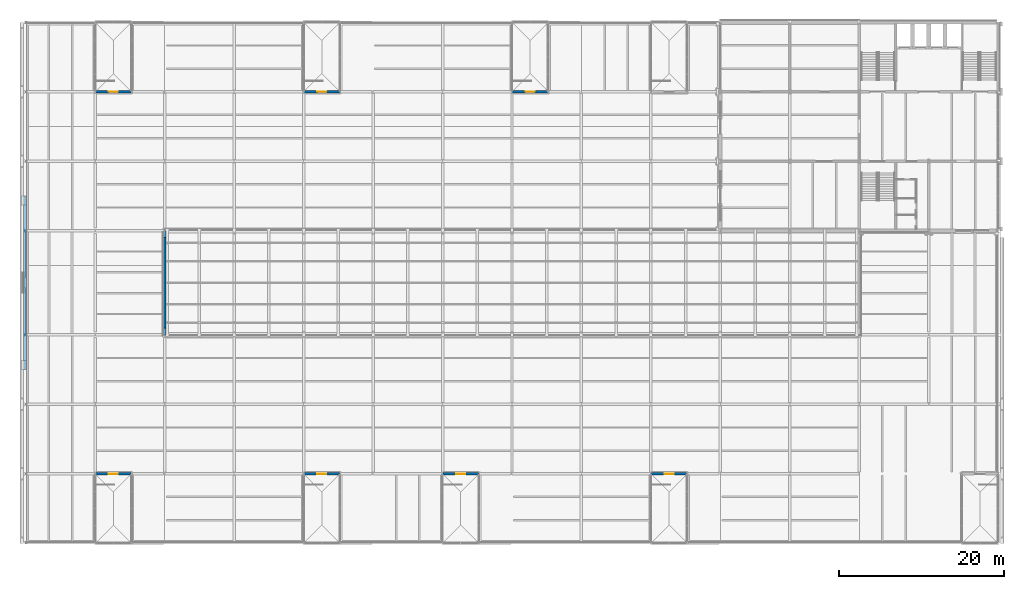
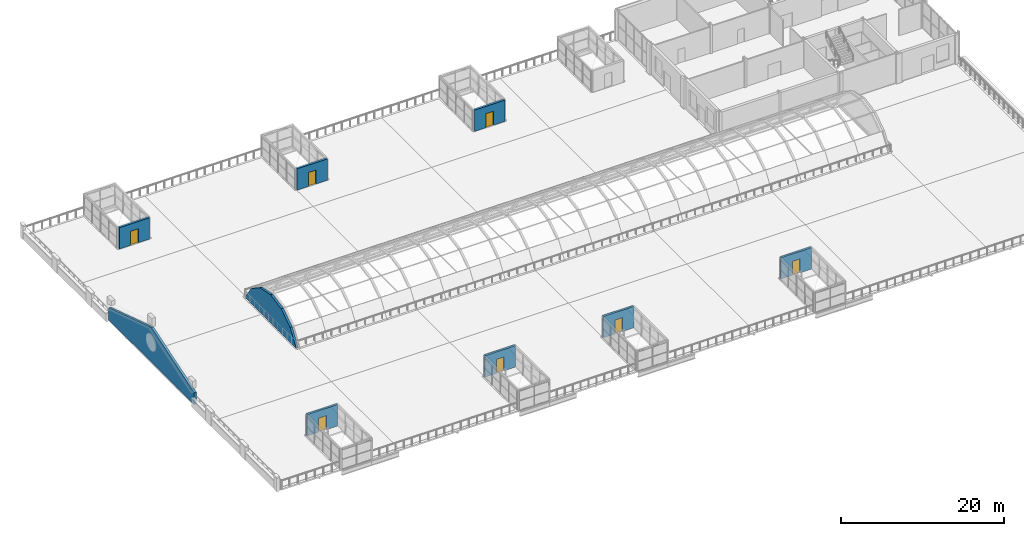
# One storey, part 39 of 58: 9 walls, 7 doors, 7 openings.
"""IFC4 building model written with IfcOpenShell, lengths in metres."""

from ifc_helpers import new_model, si_unit, direction, frame, frame_2d, origin, place, context, subcontext, project, spatial, polyline, rectangle, outline, extrude, material, layer, layer_set, type_object, element, fill, save


model = new_model("IFC4")

# Units and contexts
model_context = context("Model", 3, precision=1e-05, world=origin(), true_north=direction((0.0, 1.0)))
body_context = subcontext(model_context, "Body", "Model", "MODEL_VIEW")
ifc_project = project(units=[si_unit("LENGTHUNIT", "METRE"), si_unit("AREAUNIT", "SQUARE_METRE"), si_unit("VOLUMEUNIT", "CUBIC_METRE"), si_unit("PLANEANGLEUNIT", "RADIAN"), si_unit("MASSUNIT", "GRAM", prefix="KILO")], contexts=[model_context])

# Site, building, storey
site_placement = place(None, origin())
site = spatial("IfcSite", under=ifc_project, at=site_placement, CompositionType="ELEMENT")
building_placement = place(site_placement, origin())
building = spatial("IfcBuilding", under=site, at=building_placement, Name="Galleria Vessillo Department Store", CompositionType="ELEMENT")
storey_placement = place(building_placement, frame((0.0, 0.0, 31.199951171875)))
storey = spatial("IfcBuildingStorey", under=building, at=storey_placement, Name="L06", CompositionType="ELEMENT", Elevation=31.199951171875)

# Walls
ifc_material_1 = material(Name="Botticino limestone ashlar on masonry backing", Category="masonry")
ifc_layer_1 = layer(ifc_material_1, 0.31005859375)
ifc_layer_set_1 = layer_set([ifc_layer_1], Name="Botticino limestone ashlar on masonry backing")
wall_type_1 = type_object("IfcWallType", Name="Limestone attic pediment wall 310 mm", PredefinedType="STANDARD", material=ifc_layer_set_1)
wall_1_placement = place(storey_placement, frame((-0.094970703125, 21.0, 0.0), z_axis=(0.0, 0.0, 1.0), x_axis=(0.0, 1.0, 0.0)))
element("IfcWall", 1, at=wall_1_placement, inside=storey, type_object=wall_type_1, Name="Central attic pediment West Street", PredefinedType="STANDARD", context=body_context, shape_type="SweptSolid", body=[
    extrude(outline(polyline([(0.0, 0.0), (21.0, 0.0), (21.0, 1.800048828125), (10.5, 5.199951171875), (0.0, 1.800048828125), (0.0, 0.0)])), frame((0.0, 0.155029296875, 0.0), z_axis=(0.0, -1.0, 0.0), x_axis=(1.0, 0.0, 0.0)), (0.0, 0.0, 1.0), 0.31005859375),
])
ifc_material_2 = material(Name="Botticino limestone ashlar on masonry backing", Category="masonry")
ifc_layer_2 = layer(ifc_material_2, 0.300048828125)
ifc_layer_set_2 = layer_set([ifc_layer_2], Name="Botticino limestone ashlar on masonry backing")
wall_type_2 = type_object("IfcWallType", Name="Limestone tympanum wall 300 mm", PredefinedType="STANDARD", material=ifc_layer_set_2)
wall_2_placement = place(storey_placement, frame((16.800048828125, 25.199951171875, 0.0), z_axis=(0.0, 0.0, 1.0), x_axis=(0.0, 1.0, 0.0)))
element("IfcWall", 2, at=wall_2_placement, inside=storey, type_object=wall_type_2, Name="Vault tympanum TYMP-W", PredefinedType="STANDARD", context=body_context, shape_type="SweptSolid", body=[
    extrude(outline(polyline([(0.0, 0.0), (12.60009765625, 0.0), (12.60009765625, 0.0), (11.119384765625, 2.207763671875), (8.907470703125, 3.682373046875), (6.300048828125, 4.199951171875), (3.692626953125, 3.682373046875), (1.480712890625, 2.207763671875), (0.0, 0.0), (0.0, 0.0)])), frame((0.0, 0.14990234375, 0.0), z_axis=(0.0, -1.0, 0.0), x_axis=(1.0, 0.0, 0.0)), (0.0, 0.0, 1.0), 0.300048828125),
])

# Wall, opening, door
ifc_material_3 = material(Name="Reinforced masonry, limestone units 80 MPa", Category="masonry")
ifc_layer_3 = layer(ifc_material_3, 0.300048828125)
ifc_layer_set_3 = layer_set([ifc_layer_3], Name="Reinforced masonry, limestone units 80 MPa")
wall_type_3 = type_object("IfcWallType", Name="Load-bearing limestone pavilion wall 300 mm", PredefinedType="STANDARD", material=ifc_layer_set_3)
wall_3_placement = place(storey_placement, frame((8.449951171875, 8.39990234375, 0.0), z_axis=(0.0, 0.0, 1.0), x_axis=(1.0, 0.0, 0.0)))
wall_3 = element("IfcWall", 3, at=wall_3_placement, inside=storey, type_object=wall_type_3, Name="Load-bearing limestone pavilion wall 300 mm PV-ST1-D", PredefinedType="STANDARD", context=body_context, shape_type="SweptSolid", body=[
    extrude(rectangle(XDim=4.300048828125, YDim=0.300048828125, at=frame_2d((2.14990234375, 0.0))), origin(), (0.0, 0.0, 1.0), 3.2001953125),
])
opening_1_placement = place(wall_3_placement, frame((1.60009765625, 0.0, 0.0)))
opening_1 = element("IfcOpeningElement", 4, at=opening_1_placement, cuts=wall_3, Name="Opening PAV-ST1", PredefinedType="OPENING", context=body_context, shape_type="SweptSolid", body=[
    extrude(rectangle(XDim=1.10009765625, YDim=2.10009765625, at=frame_2d((0.550048828125, 1.050048828125))), frame((0.0, 0.16015625, 0.0), z_axis=(0.0, -1.0, 0.0), x_axis=(1.0, 0.0, 0.0)), (0.0, 0.0, 1.0), 0.320068359375),
])
ifc_material_4 = material(Name="Galvanised steel sectional leaf", Category="steel")
door_type = type_object("IfcDoorType", Name="Single leaf pavilion door 1100 x 2100", OperationType="SINGLE_SWING_LEFT", PredefinedType="DOOR", material=ifc_material_4)
door_1_placement = place(opening_1_placement, origin())
door_1 = element("IfcDoor", 5, at=door_1_placement, inside=storey, type_object=door_type, Name="Single leaf pavilion door 1100 x 2100 PAV-ST1", OperationType="SINGLE_SWING_RIGHT", OverallHeight=2.10009765625, OverallWidth=1.10009765625, PredefinedType="DOOR", context=body_context, shape_type="SweptSolid", body=[
    extrude(rectangle(XDim=1.10009765625, YDim=2.10009765625, at=frame_2d((0.550048828125, 1.050048828125))), frame((0.0, 0.02490234375, 0.0), z_axis=(0.0, -1.0, 0.0), x_axis=(1.0, 0.0, 0.0)), (0.0, 0.0, 1.0), 0.050048828125),
])
fill(opening_1, door_1)

wall_4_placement = place(storey_placement, frame((8.449951171875, 54.60009765625, 0.0), z_axis=(0.0, 0.0, 1.0), x_axis=(1.0, 0.0, 0.0)))
wall_4 = element("IfcWall", 6, at=wall_4_placement, inside=storey, type_object=wall_type_3, Name="Load-bearing limestone pavilion wall 300 mm PV-ST2-D", PredefinedType="STANDARD", context=body_context, shape_type="SweptSolid", body=[
    extrude(rectangle(XDim=4.300048828125, YDim=0.300048828125, at=frame_2d((2.14990234375, 0.0))), origin(), (0.0, 0.0, 1.0), 3.2001953125),
])
opening_2_placement = place(wall_4_placement, frame((1.60009765625, 0.0, 0.0)))
opening_2 = element("IfcOpeningElement", 7, at=opening_2_placement, cuts=wall_4, Name="Opening PAV-ST2", PredefinedType="OPENING", context=body_context, shape_type="SweptSolid", body=[
    extrude(rectangle(XDim=1.10009765625, YDim=2.10009765625, at=frame_2d((0.550048828125, 1.050048828125))), frame((0.0, 0.16015625, 0.0), z_axis=(0.0, -1.0, 0.0), x_axis=(1.0, 0.0, 0.0)), (0.0, 0.0, 1.0), 0.320068359375),
])
door_2_placement = place(opening_2_placement, frame((1.10009765625, 0.0, 0.0), z_axis=(0.0, 0.0, 1.0), x_axis=(-1.0, 0.0, 0.0)))
door_2 = element("IfcDoor", 8, at=door_2_placement, inside=storey, type_object=door_type, Name="Single leaf pavilion door 1100 x 2100 PAV-ST2", OperationType="SINGLE_SWING_LEFT", OverallHeight=2.10009765625, OverallWidth=1.10009765625, PredefinedType="DOOR", context=body_context, shape_type="SweptSolid", body=[
    extrude(rectangle(XDim=1.10009765625, YDim=2.10009765625, at=frame_2d((0.550048828125, 1.050048828125))), frame((0.0, 0.02490234375, 0.0), z_axis=(0.0, -1.0, 0.0), x_axis=(1.0, 0.0, 0.0)), (0.0, 0.0, 1.0), 0.050048828125),
])
fill(opening_2, door_2)

wall_5_placement = place(storey_placement, frame((33.650146484375, 8.39990234375, 0.0), z_axis=(0.0, 0.0, 1.0), x_axis=(1.0, 0.0, 0.0)))
wall_5 = element("IfcWall", 9, at=wall_5_placement, inside=storey, type_object=wall_type_3, Name="Load-bearing limestone pavilion wall 300 mm PV-ST3-D", PredefinedType="STANDARD", context=body_context, shape_type="SweptSolid", body=[
    extrude(rectangle(XDim=4.2998046875, YDim=0.300048828125, at=frame_2d((2.14990234375, 0.0))), origin(), (0.0, 0.0, 1.0), 3.2001953125),
])
opening_3_placement = place(wall_5_placement, frame((1.599853515625, 0.0, 0.0)))
opening_3 = element("IfcOpeningElement", 10, at=opening_3_placement, cuts=wall_5, Name="Opening PAV-ST3", PredefinedType="OPENING", context=body_context, shape_type="SweptSolid", body=[
    extrude(rectangle(XDim=1.10009765625, YDim=2.10009765625, at=frame_2d((0.550048828125, 1.050048828125))), frame((0.0, 0.16015625, 0.0), z_axis=(0.0, -1.0, 0.0), x_axis=(1.0, 0.0, 0.0)), (0.0, 0.0, 1.0), 0.320068359375),
])
door_3_placement = place(opening_3_placement, origin())
door_3 = element("IfcDoor", 11, at=door_3_placement, inside=storey, type_object=door_type, Name="Single leaf pavilion door 1100 x 2100 PAV-ST3", OperationType="SINGLE_SWING_LEFT", OverallHeight=2.10009765625, OverallWidth=1.10009765625, PredefinedType="DOOR", context=body_context, shape_type="SweptSolid", body=[
    extrude(rectangle(XDim=1.10009765625, YDim=2.10009765625, at=frame_2d((0.550048828125, 1.050048828125))), frame((0.0, 0.02490234375, 0.0), z_axis=(0.0, -1.0, 0.0), x_axis=(1.0, 0.0, 0.0)), (0.0, 0.0, 1.0), 0.050048828125),
])
fill(opening_3, door_3)

wall_6_placement = place(storey_placement, frame((33.650146484375, 54.60009765625, 0.0), z_axis=(0.0, 0.0, 1.0), x_axis=(1.0, 0.0, 0.0)))
wall_6 = element("IfcWall", 12, at=wall_6_placement, inside=storey, type_object=wall_type_3, Name="Load-bearing limestone pavilion wall 300 mm PV-ST4-D", PredefinedType="STANDARD", context=body_context, shape_type="SweptSolid", body=[
    extrude(rectangle(XDim=4.2998046875, YDim=0.300048828125, at=frame_2d((2.14990234375, 0.0))), origin(), (0.0, 0.0, 1.0), 3.2001953125),
])
opening_4_placement = place(wall_6_placement, frame((1.599853515625, 0.0, 0.0)))
opening_4 = element("IfcOpeningElement", 13, at=opening_4_placement, cuts=wall_6, Name="Opening PAV-ST4", PredefinedType="OPENING", context=body_context, shape_type="SweptSolid", body=[
    extrude(rectangle(XDim=1.10009765625, YDim=2.10009765625, at=frame_2d((0.550048828125, 1.050048828125))), frame((0.0, 0.16015625, 0.0), z_axis=(0.0, -1.0, 0.0), x_axis=(1.0, 0.0, 0.0)), (0.0, 0.0, 1.0), 0.320068359375),
])
door_4_placement = place(opening_4_placement, frame((1.10009765625, 0.0, 0.0), z_axis=(0.0, 0.0, 1.0), x_axis=(-1.0, 0.0, 0.0)))
door_4 = element("IfcDoor", 14, at=door_4_placement, inside=storey, type_object=door_type, Name="Single leaf pavilion door 1100 x 2100 PAV-ST4", OperationType="SINGLE_SWING_RIGHT", OverallHeight=2.10009765625, OverallWidth=1.10009765625, PredefinedType="DOOR", context=body_context, shape_type="SweptSolid", body=[
    extrude(rectangle(XDim=1.10009765625, YDim=2.10009765625, at=frame_2d((0.550048828125, 1.050048828125))), frame((0.0, 0.02490234375, 0.0), z_axis=(0.0, -1.0, 0.0), x_axis=(1.0, 0.0, 0.0)), (0.0, 0.0, 1.0), 0.050048828125),
])
fill(opening_4, door_4)

wall_7_placement = place(storey_placement, frame((75.650146484375, 8.39990234375, 0.0), z_axis=(0.0, 0.0, 1.0), x_axis=(1.0, 0.0, 0.0)))
wall_7 = element("IfcWall", 15, at=wall_7_placement, inside=storey, type_object=wall_type_3, Name="Load-bearing limestone pavilion wall 300 mm PV-ST5-D", PredefinedType="STANDARD", context=body_context, shape_type="SweptSolid", body=[
    extrude(rectangle(XDim=4.2998046875, YDim=0.300048828125, at=frame_2d((2.14990234375, 0.0))), origin(), (0.0, 0.0, 1.0), 3.2001953125),
])
opening_5_placement = place(wall_7_placement, frame((1.599853515625, 0.0, 0.0)))
opening_5 = element("IfcOpeningElement", 16, at=opening_5_placement, cuts=wall_7, Name="Opening PAV-ST5", PredefinedType="OPENING", context=body_context, shape_type="SweptSolid", body=[
    extrude(rectangle(XDim=1.10009765625, YDim=2.10009765625, at=frame_2d((0.550048828125, 1.050048828125))), frame((0.0, 0.16015625, 0.0), z_axis=(0.0, -1.0, 0.0), x_axis=(1.0, 0.0, 0.0)), (0.0, 0.0, 1.0), 0.320068359375),
])
door_5_placement = place(opening_5_placement, origin())
door_5 = element("IfcDoor", 17, at=door_5_placement, inside=storey, type_object=door_type, Name="Single leaf pavilion door 1100 x 2100 PAV-ST5", OperationType="SINGLE_SWING_LEFT", OverallHeight=2.10009765625, OverallWidth=1.10009765625, PredefinedType="DOOR", context=body_context, shape_type="SweptSolid", body=[
    extrude(rectangle(XDim=1.10009765625, YDim=2.10009765625, at=frame_2d((0.550048828125, 1.050048828125))), frame((0.0, 0.02490234375, 0.0), z_axis=(0.0, -1.0, 0.0), x_axis=(1.0, 0.0, 0.0)), (0.0, 0.0, 1.0), 0.050048828125),
])
fill(opening_5, door_5)

wall_8_placement = place(storey_placement, frame((50.449951171875, 8.39990234375, 0.0), z_axis=(0.0, 0.0, 1.0), x_axis=(1.0, 0.0, 0.0)))
wall_8 = element("IfcWall", 18, at=wall_8_placement, inside=storey, type_object=wall_type_3, Name="Load-bearing limestone pavilion wall 300 mm PV-ST10-D", PredefinedType="STANDARD", context=body_context, shape_type="SweptSolid", body=[
    extrude(rectangle(XDim=4.300048828125, YDim=0.300048828125, at=frame_2d((2.14990234375, 0.0))), origin(), (0.0, 0.0, 1.0), 3.2001953125),
])
opening_6_placement = place(wall_8_placement, frame((1.60009765625, 0.0, 0.0)))
opening_6 = element("IfcOpeningElement", 19, at=opening_6_placement, cuts=wall_8, Name="Opening PAV-ST10", PredefinedType="OPENING", context=body_context, shape_type="SweptSolid", body=[
    extrude(rectangle(XDim=1.10009765625, YDim=2.10009765625, at=frame_2d((0.550048828125, 1.050048828125))), frame((0.0, 0.16015625, 0.0), z_axis=(0.0, -1.0, 0.0), x_axis=(1.0, 0.0, 0.0)), (0.0, 0.0, 1.0), 0.320068359375),
])
door_6_placement = place(opening_6_placement, origin())
door_6 = element("IfcDoor", 20, at=door_6_placement, inside=storey, type_object=door_type, Name="Single leaf pavilion door 1100 x 2100 PAV-ST10", OperationType="SINGLE_SWING_RIGHT", OverallHeight=2.10009765625, OverallWidth=1.10009765625, PredefinedType="DOOR", context=body_context, shape_type="SweptSolid", body=[
    extrude(rectangle(XDim=1.10009765625, YDim=2.10009765625, at=frame_2d((0.550048828125, 1.050048828125))), frame((0.0, 0.02490234375, 0.0), z_axis=(0.0, -1.0, 0.0), x_axis=(1.0, 0.0, 0.0)), (0.0, 0.0, 1.0), 0.050048828125),
])
fill(opening_6, door_6)

wall_9_placement = place(storey_placement, frame((58.85009765625, 54.60009765625, 0.0), z_axis=(0.0, 0.0, 1.0), x_axis=(1.0, 0.0, 0.0)))
wall_9 = element("IfcWall", 21, at=wall_9_placement, inside=storey, type_object=wall_type_3, Name="Load-bearing limestone pavilion wall 300 mm PV-ST11-D", PredefinedType="STANDARD", context=body_context, shape_type="SweptSolid", body=[
    extrude(rectangle(XDim=4.2998046875, YDim=0.300048828125, at=frame_2d((2.14990234375, 0.0))), origin(), (0.0, 0.0, 1.0), 3.2001953125),
])
opening_7_placement = place(wall_9_placement, frame((1.599853515625, 0.0, 0.0)))
opening_7 = element("IfcOpeningElement", 22, at=opening_7_placement, cuts=wall_9, Name="Opening PAV-ST11", PredefinedType="OPENING", context=body_context, shape_type="SweptSolid", body=[
    extrude(rectangle(XDim=1.10009765625, YDim=2.10009765625, at=frame_2d((0.550048828125, 1.050048828125))), frame((0.0, 0.16015625, 0.0), z_axis=(0.0, -1.0, 0.0), x_axis=(1.0, 0.0, 0.0)), (0.0, 0.0, 1.0), 0.320068359375),
])
door_7_placement = place(opening_7_placement, frame((1.10009765625, 0.0, 0.0), z_axis=(0.0, 0.0, 1.0), x_axis=(-1.0, 0.0, 0.0)))
door_7 = element("IfcDoor", 23, at=door_7_placement, inside=storey, type_object=door_type, Name="Single leaf pavilion door 1100 x 2100 PAV-ST11", OperationType="SINGLE_SWING_RIGHT", OverallHeight=2.10009765625, OverallWidth=1.10009765625, PredefinedType="DOOR", context=body_context, shape_type="SweptSolid", body=[
    extrude(rectangle(XDim=1.10009765625, YDim=2.10009765625, at=frame_2d((0.550048828125, 1.050048828125))), frame((0.0, 0.02490234375, 0.0), z_axis=(0.0, -1.0, 0.0), x_axis=(1.0, 0.0, 0.0)), (0.0, 0.0, 1.0), 0.050048828125),
])
fill(opening_7, door_7)

save(model, "model.ifc")
